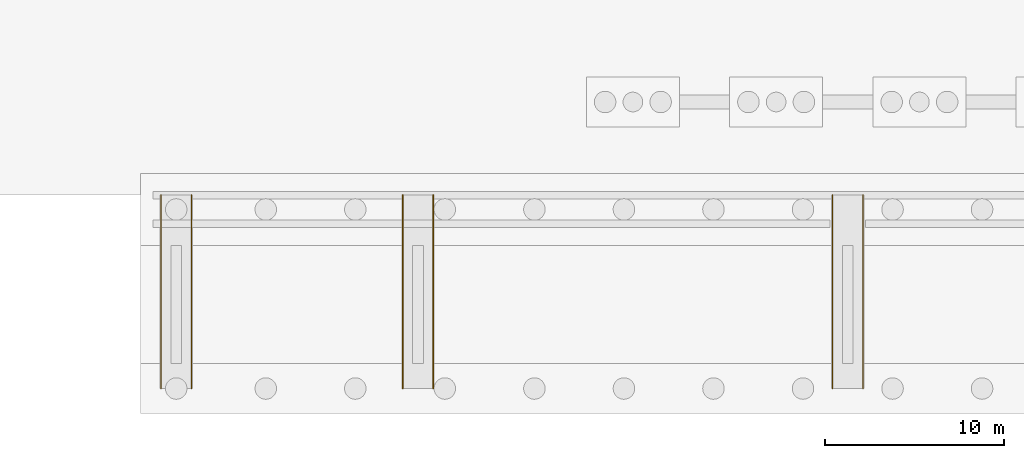
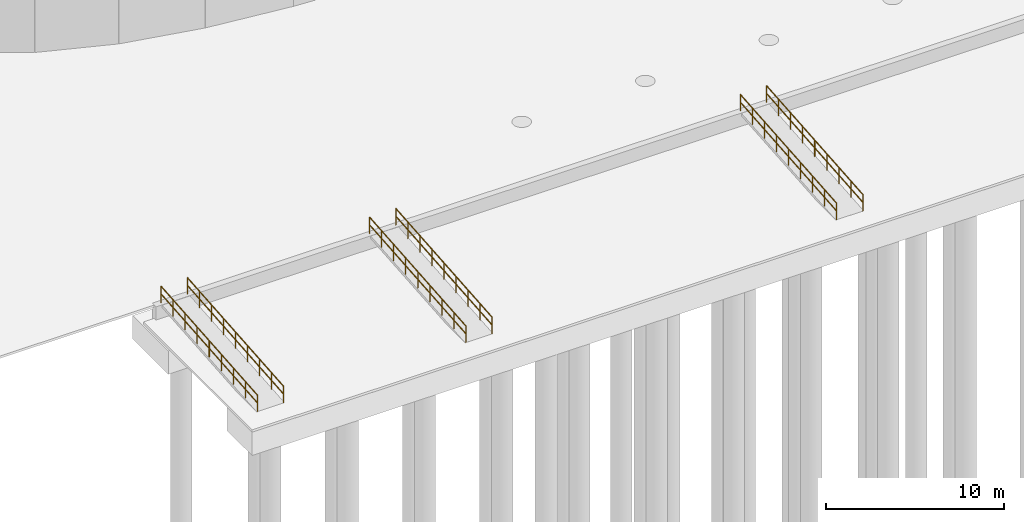
# One storey, part 8 of 14: 6 railings.
"""IFC4 building model written with IfcOpenShell, lengths in metres."""

from ifc_helpers import new_model, si_unit, direction, frame, origin, origin_2d, place, context, subcontext, project, spatial, rectangle, extrude, material, type_object, element, save


model = new_model("IFC4")

# Units and contexts
model_context = context("Model", 3, precision=1e-05, world=origin(), true_north=direction((0.0, 1.0)))
body_context = subcontext(model_context, "Body", "Model", "MODEL_VIEW")
ifc_project = project(units=[si_unit("LENGTHUNIT", "METRE"), si_unit("AREAUNIT", "SQUARE_METRE"), si_unit("VOLUMEUNIT", "CUBIC_METRE"), si_unit("PLANEANGLEUNIT", "RADIAN"), si_unit("MASSUNIT", "GRAM", prefix="KILO")], contexts=[model_context])

# Site, building, storey
site_placement = place(None, origin())
site = spatial("IfcSite", under=ifc_project, at=site_placement, CompositionType="ELEMENT")
building_placement = place(site_placement, origin())
building = spatial("IfcBuilding", under=site, at=building_placement, Name="Breltana Convention Tower", CompositionType="ELEMENT")
storey_placement = place(building_placement, origin())
storey = spatial("IfcBuildingStorey", under=building, at=storey_placement, Name="L00", CompositionType="ELEMENT", Elevation=0.0)

# Railings
ifc_material = material(Name="Steel S275 Painted", Category="steel")
railing_type = type_object("IfcRailingType", Name="RL-STAIR-GUARD-1100", PredefinedType="GUARDRAIL", material=ifc_material)
railing_1_placement = place(storey_placement, frame((9.64990234375, -16.800048828125, -0.89990234375)))
element("IfcRailing", 1, at=railing_1_placement, inside=storey, type_object=railing_type, Name="Accessible ramp 1 safety guard L", PredefinedType="GUARDRAIL", context=body_context, shape_type="SweptSolid", body=[
    extrude(rectangle(XDim=0.048095703125, YDim=0.048095703125, at=origin_2d()), frame((0.0, 0.0, 1.1259765625), z_axis=(0.0, 0.99654653501, 0.083036158149), x_axis=(-1.0, 0.0, 0.0)), (0.0, 0.0, 1.0), 10.83740234375),
    extrude(rectangle(XDim=0.048095703125, YDim=0.048095703125, at=origin_2d()), frame((0.0, 0.0, 0.597900390625), z_axis=(0.0, 0.99654653501, 0.083036158149), x_axis=(-1.0, 0.0, 0.0)), (0.0, 0.0, 1.0), 10.83740234375),
    extrude(rectangle(XDim=0.0419921875, YDim=0.0419921875, at=origin_2d()), origin(), (0.0, 0.0, 1.0), 1.101806640625),
    extrude(rectangle(XDim=0.0419921875, YDim=0.0419921875, at=origin_2d()), frame((0.0, 1.35009765625, 0.112548828125)), (0.0, 0.0, 1.0), 1.101806640625),
    extrude(rectangle(XDim=0.0419921875, YDim=0.0419921875, at=origin_2d()), frame((0.0, 2.699951171875, 0.22509765625)), (0.0, 0.0, 1.0), 1.101806640625),
    extrude(rectangle(XDim=0.0419921875, YDim=0.0419921875, at=origin_2d()), frame((0.0, 4.050048828125, 0.33740234375)), (0.0, 0.0, 1.0), 1.101806640625),
    extrude(rectangle(XDim=0.0419921875, YDim=0.0419921875, at=origin_2d()), frame((0.0, 5.39990234375, 0.449951171875)), (0.0, 0.0, 1.0), 1.101806640625),
    extrude(rectangle(XDim=0.0419921875, YDim=0.0419921875, at=origin_2d()), frame((0.0, 6.75, 0.5625)), (0.0, 0.0, 1.0), 1.101806640625),
    extrude(rectangle(XDim=0.0419921875, YDim=0.0419921875, at=origin_2d()), frame((0.0, 8.10009765625, 0.6748046875)), (0.0, 0.0, 1.0), 1.101806640625),
    extrude(rectangle(XDim=0.0419921875, YDim=0.0419921875, at=origin_2d()), frame((0.0, 9.449951171875, 0.787353515625)), (0.0, 0.0, 1.0), 1.101806640625),
    extrude(rectangle(XDim=0.0419921875, YDim=0.0419921875, at=origin_2d()), frame((0.0, 10.800048828125, 0.89990234375)), (0.0, 0.0, 1.0), 1.101806640625),
])
railing_2_placement = place(storey_placement, frame((11.35009765625, -16.800048828125, -0.89990234375)))
element("IfcRailing", 2, at=railing_2_placement, inside=storey, type_object=railing_type, Name="Accessible ramp 1 safety guard R", PredefinedType="GUARDRAIL", context=body_context, shape_type="SweptSolid", body=[
    extrude(rectangle(XDim=0.048095703125, YDim=0.048095703125, at=origin_2d()), frame((0.0, 0.0, 1.1259765625), z_axis=(0.0, 0.99654653501, 0.083036158149), x_axis=(-1.0, 0.0, 0.0)), (0.0, 0.0, 1.0), 10.83740234375),
    extrude(rectangle(XDim=0.048095703125, YDim=0.048095703125, at=origin_2d()), frame((0.0, 0.0, 0.597900390625), z_axis=(0.0, 0.99654653501, 0.083036158149), x_axis=(-1.0, 0.0, 0.0)), (0.0, 0.0, 1.0), 10.83740234375),
    extrude(rectangle(XDim=0.0419921875, YDim=0.0419921875, at=origin_2d()), origin(), (0.0, 0.0, 1.0), 1.101806640625),
    extrude(rectangle(XDim=0.0419921875, YDim=0.0419921875, at=origin_2d()), frame((0.0, 1.35009765625, 0.112548828125)), (0.0, 0.0, 1.0), 1.101806640625),
    extrude(rectangle(XDim=0.0419921875, YDim=0.0419921875, at=origin_2d()), frame((0.0, 2.699951171875, 0.22509765625)), (0.0, 0.0, 1.0), 1.101806640625),
    extrude(rectangle(XDim=0.0419921875, YDim=0.0419921875, at=origin_2d()), frame((0.0, 4.050048828125, 0.33740234375)), (0.0, 0.0, 1.0), 1.101806640625),
    extrude(rectangle(XDim=0.0419921875, YDim=0.0419921875, at=origin_2d()), frame((0.0, 5.39990234375, 0.449951171875)), (0.0, 0.0, 1.0), 1.101806640625),
    extrude(rectangle(XDim=0.0419921875, YDim=0.0419921875, at=origin_2d()), frame((0.0, 6.75, 0.5625)), (0.0, 0.0, 1.0), 1.101806640625),
    extrude(rectangle(XDim=0.0419921875, YDim=0.0419921875, at=origin_2d()), frame((0.0, 8.10009765625, 0.6748046875)), (0.0, 0.0, 1.0), 1.101806640625),
    extrude(rectangle(XDim=0.0419921875, YDim=0.0419921875, at=origin_2d()), frame((0.0, 9.449951171875, 0.787353515625)), (0.0, 0.0, 1.0), 1.101806640625),
    extrude(rectangle(XDim=0.0419921875, YDim=0.0419921875, at=origin_2d()), frame((0.0, 10.800048828125, 0.89990234375)), (0.0, 0.0, 1.0), 1.101806640625),
])
railing_3_placement = place(storey_placement, frame((23.14990234375, -16.800048828125, -0.89990234375)))
element("IfcRailing", 3, at=railing_3_placement, inside=storey, type_object=railing_type, Name="Accessible ramp 2 safety guard L", PredefinedType="GUARDRAIL", context=body_context, shape_type="SweptSolid", body=[
    extrude(rectangle(XDim=0.048095703125, YDim=0.048095703125, at=origin_2d()), frame((0.0, 0.0, 1.1259765625), z_axis=(0.0, 0.99654653501, 0.083036158149), x_axis=(-1.0, 0.0, 0.0)), (0.0, 0.0, 1.0), 10.83740234375),
    extrude(rectangle(XDim=0.048095703125, YDim=0.048095703125, at=origin_2d()), frame((0.0, 0.0, 0.597900390625), z_axis=(0.0, 0.99654653501, 0.083036158149), x_axis=(-1.0, 0.0, 0.0)), (0.0, 0.0, 1.0), 10.83740234375),
    extrude(rectangle(XDim=0.0419921875, YDim=0.0419921875, at=origin_2d()), origin(), (0.0, 0.0, 1.0), 1.101806640625),
    extrude(rectangle(XDim=0.0419921875, YDim=0.0419921875, at=origin_2d()), frame((0.0, 1.35009765625, 0.112548828125)), (0.0, 0.0, 1.0), 1.101806640625),
    extrude(rectangle(XDim=0.0419921875, YDim=0.0419921875, at=origin_2d()), frame((0.0, 2.699951171875, 0.22509765625)), (0.0, 0.0, 1.0), 1.101806640625),
    extrude(rectangle(XDim=0.0419921875, YDim=0.0419921875, at=origin_2d()), frame((0.0, 4.050048828125, 0.33740234375)), (0.0, 0.0, 1.0), 1.101806640625),
    extrude(rectangle(XDim=0.0419921875, YDim=0.0419921875, at=origin_2d()), frame((0.0, 5.39990234375, 0.449951171875)), (0.0, 0.0, 1.0), 1.101806640625),
    extrude(rectangle(XDim=0.0419921875, YDim=0.0419921875, at=origin_2d()), frame((0.0, 6.75, 0.5625)), (0.0, 0.0, 1.0), 1.101806640625),
    extrude(rectangle(XDim=0.0419921875, YDim=0.0419921875, at=origin_2d()), frame((0.0, 8.10009765625, 0.6748046875)), (0.0, 0.0, 1.0), 1.101806640625),
    extrude(rectangle(XDim=0.0419921875, YDim=0.0419921875, at=origin_2d()), frame((0.0, 9.449951171875, 0.787353515625)), (0.0, 0.0, 1.0), 1.101806640625),
    extrude(rectangle(XDim=0.0419921875, YDim=0.0419921875, at=origin_2d()), frame((0.0, 10.800048828125, 0.89990234375)), (0.0, 0.0, 1.0), 1.101806640625),
])
railing_4_placement = place(storey_placement, frame((24.85009765625, -16.800048828125, -0.89990234375)))
element("IfcRailing", 4, at=railing_4_placement, inside=storey, type_object=railing_type, Name="Accessible ramp 2 safety guard R", PredefinedType="GUARDRAIL", context=body_context, shape_type="SweptSolid", body=[
    extrude(rectangle(XDim=0.048095703125, YDim=0.048095703125, at=origin_2d()), frame((0.0, 0.0, 1.1259765625), z_axis=(0.0, 0.99654653501, 0.083036158149), x_axis=(-1.0, 0.0, 0.0)), (0.0, 0.0, 1.0), 10.83740234375),
    extrude(rectangle(XDim=0.048095703125, YDim=0.048095703125, at=origin_2d()), frame((0.0, 0.0, 0.597900390625), z_axis=(0.0, 0.99654653501, 0.083036158149), x_axis=(-1.0, 0.0, 0.0)), (0.0, 0.0, 1.0), 10.83740234375),
    extrude(rectangle(XDim=0.0419921875, YDim=0.0419921875, at=origin_2d()), origin(), (0.0, 0.0, 1.0), 1.101806640625),
    extrude(rectangle(XDim=0.0419921875, YDim=0.0419921875, at=origin_2d()), frame((0.0, 1.35009765625, 0.112548828125)), (0.0, 0.0, 1.0), 1.101806640625),
    extrude(rectangle(XDim=0.0419921875, YDim=0.0419921875, at=origin_2d()), frame((0.0, 2.699951171875, 0.22509765625)), (0.0, 0.0, 1.0), 1.101806640625),
    extrude(rectangle(XDim=0.0419921875, YDim=0.0419921875, at=origin_2d()), frame((0.0, 4.050048828125, 0.33740234375)), (0.0, 0.0, 1.0), 1.101806640625),
    extrude(rectangle(XDim=0.0419921875, YDim=0.0419921875, at=origin_2d()), frame((0.0, 5.39990234375, 0.449951171875)), (0.0, 0.0, 1.0), 1.101806640625),
    extrude(rectangle(XDim=0.0419921875, YDim=0.0419921875, at=origin_2d()), frame((0.0, 6.75, 0.5625)), (0.0, 0.0, 1.0), 1.101806640625),
    extrude(rectangle(XDim=0.0419921875, YDim=0.0419921875, at=origin_2d()), frame((0.0, 8.10009765625, 0.6748046875)), (0.0, 0.0, 1.0), 1.101806640625),
    extrude(rectangle(XDim=0.0419921875, YDim=0.0419921875, at=origin_2d()), frame((0.0, 9.449951171875, 0.787353515625)), (0.0, 0.0, 1.0), 1.101806640625),
    extrude(rectangle(XDim=0.0419921875, YDim=0.0419921875, at=origin_2d()), frame((0.0, 10.800048828125, 0.89990234375)), (0.0, 0.0, 1.0), 1.101806640625),
])
railing_5_placement = place(storey_placement, frame((47.14990234375, -16.800048828125, -0.89990234375)))
element("IfcRailing", 5, at=railing_5_placement, inside=storey, type_object=railing_type, Name="Accessible ramp 3 safety guard L", PredefinedType="GUARDRAIL", context=body_context, shape_type="SweptSolid", body=[
    extrude(rectangle(XDim=0.048095703125, YDim=0.048095703125, at=origin_2d()), frame((0.0, 0.0, 1.1259765625), z_axis=(0.0, 0.99654653501, 0.083036158149), x_axis=(-1.0, 0.0, 0.0)), (0.0, 0.0, 1.0), 10.83740234375),
    extrude(rectangle(XDim=0.048095703125, YDim=0.048095703125, at=origin_2d()), frame((0.0, 0.0, 0.597900390625), z_axis=(0.0, 0.99654653501, 0.083036158149), x_axis=(-1.0, 0.0, 0.0)), (0.0, 0.0, 1.0), 10.83740234375),
    extrude(rectangle(XDim=0.0419921875, YDim=0.0419921875, at=origin_2d()), origin(), (0.0, 0.0, 1.0), 1.101806640625),
    extrude(rectangle(XDim=0.0419921875, YDim=0.0419921875, at=origin_2d()), frame((0.0, 1.35009765625, 0.112548828125)), (0.0, 0.0, 1.0), 1.101806640625),
    extrude(rectangle(XDim=0.0419921875, YDim=0.0419921875, at=origin_2d()), frame((0.0, 2.699951171875, 0.22509765625)), (0.0, 0.0, 1.0), 1.101806640625),
    extrude(rectangle(XDim=0.0419921875, YDim=0.0419921875, at=origin_2d()), frame((0.0, 4.050048828125, 0.33740234375)), (0.0, 0.0, 1.0), 1.101806640625),
    extrude(rectangle(XDim=0.0419921875, YDim=0.0419921875, at=origin_2d()), frame((0.0, 5.39990234375, 0.449951171875)), (0.0, 0.0, 1.0), 1.101806640625),
    extrude(rectangle(XDim=0.0419921875, YDim=0.0419921875, at=origin_2d()), frame((0.0, 6.75, 0.5625)), (0.0, 0.0, 1.0), 1.101806640625),
    extrude(rectangle(XDim=0.0419921875, YDim=0.0419921875, at=origin_2d()), frame((0.0, 8.10009765625, 0.6748046875)), (0.0, 0.0, 1.0), 1.101806640625),
    extrude(rectangle(XDim=0.0419921875, YDim=0.0419921875, at=origin_2d()), frame((0.0, 9.449951171875, 0.787353515625)), (0.0, 0.0, 1.0), 1.101806640625),
    extrude(rectangle(XDim=0.0419921875, YDim=0.0419921875, at=origin_2d()), frame((0.0, 10.800048828125, 0.89990234375)), (0.0, 0.0, 1.0), 1.101806640625),
])
railing_6_placement = place(storey_placement, frame((48.85009765625, -16.800048828125, -0.89990234375)))
element("IfcRailing", 6, at=railing_6_placement, inside=storey, type_object=railing_type, Name="Accessible ramp 3 safety guard R", PredefinedType="GUARDRAIL", context=body_context, shape_type="SweptSolid", body=[
    extrude(rectangle(XDim=0.048095703125, YDim=0.048095703125, at=origin_2d()), frame((0.0, 0.0, 1.1259765625), z_axis=(0.0, 0.99654653501, 0.083036158149), x_axis=(-1.0, 0.0, 0.0)), (0.0, 0.0, 1.0), 10.83740234375),
    extrude(rectangle(XDim=0.048095703125, YDim=0.048095703125, at=origin_2d()), frame((0.0, 0.0, 0.597900390625), z_axis=(0.0, 0.99654653501, 0.083036158149), x_axis=(-1.0, 0.0, 0.0)), (0.0, 0.0, 1.0), 10.83740234375),
    extrude(rectangle(XDim=0.0419921875, YDim=0.0419921875, at=origin_2d()), origin(), (0.0, 0.0, 1.0), 1.101806640625),
    extrude(rectangle(XDim=0.0419921875, YDim=0.0419921875, at=origin_2d()), frame((0.0, 1.35009765625, 0.112548828125)), (0.0, 0.0, 1.0), 1.101806640625),
    extrude(rectangle(XDim=0.0419921875, YDim=0.0419921875, at=origin_2d()), frame((0.0, 2.699951171875, 0.22509765625)), (0.0, 0.0, 1.0), 1.101806640625),
    extrude(rectangle(XDim=0.0419921875, YDim=0.0419921875, at=origin_2d()), frame((0.0, 4.050048828125, 0.33740234375)), (0.0, 0.0, 1.0), 1.101806640625),
    extrude(rectangle(XDim=0.0419921875, YDim=0.0419921875, at=origin_2d()), frame((0.0, 5.39990234375, 0.449951171875)), (0.0, 0.0, 1.0), 1.101806640625),
    extrude(rectangle(XDim=0.0419921875, YDim=0.0419921875, at=origin_2d()), frame((0.0, 6.75, 0.5625)), (0.0, 0.0, 1.0), 1.101806640625),
    extrude(rectangle(XDim=0.0419921875, YDim=0.0419921875, at=origin_2d()), frame((0.0, 8.10009765625, 0.6748046875)), (0.0, 0.0, 1.0), 1.101806640625),
    extrude(rectangle(XDim=0.0419921875, YDim=0.0419921875, at=origin_2d()), frame((0.0, 9.449951171875, 0.787353515625)), (0.0, 0.0, 1.0), 1.101806640625),
    extrude(rectangle(XDim=0.0419921875, YDim=0.0419921875, at=origin_2d()), frame((0.0, 10.800048828125, 0.89990234375)), (0.0, 0.0, 1.0), 1.101806640625),
])

save(model, "model.ifc")
